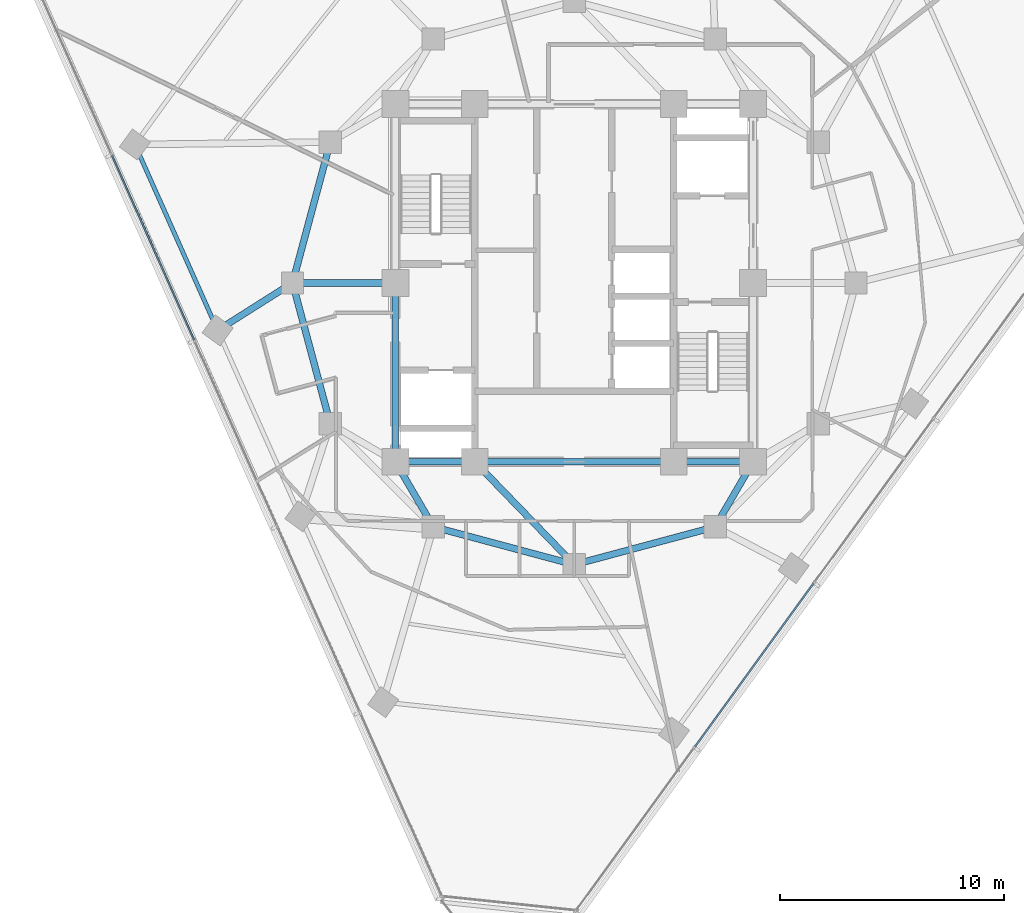
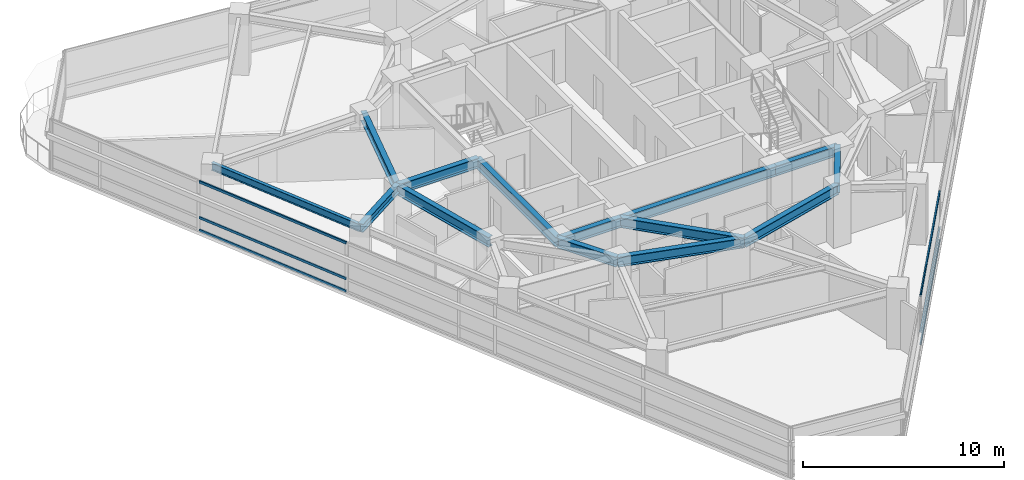
# One storey, part 3 of 14: 14 beams, 6 members, 2 elements without a shape of their own.
"""IFC4 building model written with IfcOpenShell, lengths in metres."""

from ifc_helpers import new_model, si_unit, direction, frame, origin, origin_2d, place, context, subcontext, project, spatial, rectangle, i_section, extrude, material, layer, layer_set, material_profile, profile_set, type_object, element, aggregate, save


model = new_model("IFC4")

# Units and contexts
model_context = context("Model", 3, precision=1e-05, world=origin(), true_north=direction((0.0, 1.0)))
body_context = subcontext(model_context, "Body", "Model", "MODEL_VIEW")
ifc_project = project(units=[si_unit("LENGTHUNIT", "METRE"), si_unit("AREAUNIT", "SQUARE_METRE"), si_unit("VOLUMEUNIT", "CUBIC_METRE"), si_unit("PLANEANGLEUNIT", "RADIAN"), si_unit("MASSUNIT", "GRAM", prefix="KILO")], contexts=[model_context])

# Site, building, storey
site_placement = place(None, origin())
site = spatial("IfcSite", under=ifc_project, at=site_placement, CompositionType="ELEMENT")
building_placement = place(site_placement, origin())
building = spatial("IfcBuilding", under=site, at=building_placement, Name="Terralouvre Media Tower", CompositionType="ELEMENT")
storey_placement = place(building_placement, frame((0.0, 0.0, 222.60009765625)))
storey = spatial("IfcBuildingStorey", under=building, at=storey_placement, Name="L57", CompositionType="ELEMENT", Elevation=222.60009765625)

# Curtain wall, members
ifc_material_1 = material(Name="Low-iron laminated double glazing with solar-control coating", Category="glass")
ifc_layer = layer(ifc_material_1, 0.1650390625, Name="Upper Executive Tower Curtain Wall CW-05")
ifc_layer_set = layer_set([ifc_layer], Name="Low-iron laminated double glazing with solar-control coating")
curtain_wall_type = type_object("IfcCurtainWallType", Name="Upper Executive Tower Curtain Wall CW-05", PredefinedType="NOTDEFINED", material=ifc_layer_set)
curtain_wall_1_placement = place(storey_placement, origin())
curtain_wall_1 = element("IfcCurtainWall", 1, at=curtain_wall_1_placement, inside=storey, type_object=curtain_wall_type, Name="L57 Facade Curtain Wall F0", PredefinedType="NOTDEFINED")
ifc_material_2 = material(Name="Anodised extruded aluminium 6063-T6", Category="aluminium")
ifc_material_profile_1 = material_profile(ifc_material_2, rectangle(XDim=0.074951171875, YDim=0.14990234375, at=origin_2d()), Name="ALU 75x150")
ifc_profile_set_1 = profile_set([ifc_material_profile_1], Name="Anodised extruded aluminium 6063-T6")
member_type = type_object("IfcMemberType", Name="Curtain-Wall Horizontal Transom TR-150", PredefinedType="USERDEFINED", material=ifc_profile_set_1)
member_1_placement = place(storey_placement, frame((5.39990234375, -20.749267578125, 0.037353515625), z_axis=(0.587772727709, 0.809026093869, 0.0), x_axis=(-0.809026093869, 0.587772727709, 0.0)))
member_1 = element("IfcMember", 2, at=member_1_placement, type_object=member_type, Name="CW-05 transom 2.1", ObjectType="TRANSOM", PredefinedType="USERDEFINED", context=body_context, shape_type="SweptSolid", body=[
    extrude(rectangle(XDim=0.074951171875, YDim=0.14990234375, at=origin_2d()), origin(), (0.0, 0.0, 1.0), 9.025146484375),
])
member_2_placement = place(storey_placement, frame((5.39990234375, -20.749267578125, 0.7998046875), z_axis=(0.587772727709, 0.809026093869, 0.0), x_axis=(-0.809026093869, 0.587772727709, 0.0)))
member_2 = element("IfcMember", 3, at=member_2_placement, type_object=member_type, Name="CW-05 transom 2.2", ObjectType="TRANSOM", PredefinedType="USERDEFINED", context=body_context, shape_type="SweptSolid", body=[
    extrude(rectangle(XDim=0.074951171875, YDim=0.14990234375, at=origin_2d()), origin(), (0.0, 0.0, 1.0), 9.025146484375),
])
member_3_placement = place(storey_placement, frame((5.39990234375, -20.749267578125, 2.96240234375), z_axis=(0.587772727709, 0.809026093869, 0.0), x_axis=(-0.809026093869, 0.587772727709, 0.0)))
member_3 = element("IfcMember", 4, at=member_3_placement, type_object=member_type, Name="CW-05 transom 2.3", ObjectType="TRANSOM", PredefinedType="USERDEFINED", context=body_context, shape_type="SweptSolid", body=[
    extrude(rectangle(XDim=0.074951171875, YDim=0.14990234375, at=origin_2d()), origin(), (0.0, 0.0, 1.0), 9.025146484375),
])
aggregate(curtain_wall_1, [member_1, member_2, member_3])

curtain_wall_2_placement = place(storey_placement, origin())
curtain_wall_2 = element("IfcCurtainWall", 5, at=curtain_wall_2_placement, inside=storey, type_object=curtain_wall_type, Name="L57 Facade Curtain Wall F2", PredefinedType="NOTDEFINED")
member_4_placement = place(storey_placement, frame((-20.66943359375, 5.6982421875, 0.037353515625), z_axis=(0.406740753437, -0.913543627581, 0.0), x_axis=(0.913543627581, 0.406740753437, 0.0)))
member_4 = element("IfcMember", 6, at=member_4_placement, type_object=member_type, Name="CW-05 transom 2.1", ObjectType="TRANSOM", PredefinedType="USERDEFINED", context=body_context, shape_type="SweptSolid", body=[
    extrude(rectangle(XDim=0.074951171875, YDim=0.14990234375, at=origin_2d()), origin(), (0.0, 0.0, 1.0), 9.025146484375),
])
member_5_placement = place(storey_placement, frame((-20.66943359375, 5.6982421875, 0.7998046875), z_axis=(0.406740753437, -0.913543627581, 0.0), x_axis=(0.913543627581, 0.406740753437, 0.0)))
member_5 = element("IfcMember", 7, at=member_5_placement, type_object=member_type, Name="CW-05 transom 2.2", ObjectType="TRANSOM", PredefinedType="USERDEFINED", context=body_context, shape_type="SweptSolid", body=[
    extrude(rectangle(XDim=0.074951171875, YDim=0.14990234375, at=origin_2d()), origin(), (0.0, 0.0, 1.0), 9.025146484375),
])
member_6_placement = place(storey_placement, frame((-20.66943359375, 5.6982421875, 2.96240234375), z_axis=(0.406740753437, -0.913543627581, 0.0), x_axis=(0.913543627581, 0.406740753437, 0.0)))
member_6 = element("IfcMember", 8, at=member_6_placement, type_object=member_type, Name="CW-05 transom 2.3", ObjectType="TRANSOM", PredefinedType="USERDEFINED", context=body_context, shape_type="SweptSolid", body=[
    extrude(rectangle(XDim=0.074951171875, YDim=0.14990234375, at=origin_2d()), origin(), (0.0, 0.0, 1.0), 9.025146484375),
])
aggregate(curtain_wall_2, [member_4, member_5, member_6])

# Beams
ifc_material_3 = material(Name="Structural steel S355J2", Category="steel")
ifc_material_profile_2 = material_profile(ifc_material_3, i_section(OverallWidth=0.18994140625, OverallDepth=0.449951171875, WebThickness=0.009521484375, FlangeThickness=0.0146484375, at=origin_2d()), Name="IPE 450")
ifc_profile_set_2 = profile_set([ifc_material_profile_2], Name="Structural steel S355J2")
beam_type_1 = type_object("IfcBeamType", Name="Perimeter Spandrel Beam SPB-450 (IPE 450)", PredefinedType="SPANDREL", material=ifc_profile_set_2)
beam_1_placement = place(storey_placement, frame((-19.65234375, 6.192138671875, 3.27490234375), z_axis=(0.406738273219, -0.913544731854, 0.0), x_axis=(0.913544731854, 0.406738273219, 0.0)))
element("IfcBeam", 9, at=beam_1_placement, inside=storey, type_object=beam_type_1, Name="L57 Framing Beam BM-L57-PR12", PredefinedType="SPANDREL", context=body_context, shape_type="SweptSolid", body=[
    extrude(i_section(OverallWidth=0.18994140625, OverallDepth=0.449951171875, WebThickness=0.009521484375, FlangeThickness=0.0146484375, at=origin_2d()), origin(), (0.0, 0.0, 1.0), 9.100341796875),
])
ifc_material_4 = material(Name="Structural steel S355J2", Category="steel")
ifc_material_profile_3 = material_profile(ifc_material_4, i_section(OverallWidth=0.300048828125, OverallDepth=0.5, WebThickness=0.014404296875, FlangeThickness=0.028076171875, at=origin_2d()), Name="HEB 500")
ifc_profile_set_3 = profile_set([ifc_material_profile_3], Name="Structural steel S355J2")
beam_type_2 = type_object("IfcBeamType", Name="Primary Floor Girder B-HEB500 (HEB 500)", PredefinedType="BEAM", material=ifc_profile_set_3)
beam_2_placement = place(storey_placement, frame((-12.60009765625, 0.0, 3.25), z_axis=(-0.844916454891, -0.534898293373, 0.0), x_axis=(0.534898293373, -0.844916454891, 0.0)))
element("IfcBeam", 10, at=beam_2_placement, inside=storey, type_object=beam_type_2, Name="L57 Framing Beam BM-L57-RD01", PredefinedType="BEAM", context=body_context, shape_type="SweptSolid", body=[
    extrude(i_section(OverallWidth=0.300048828125, OverallDepth=0.5, WebThickness=0.014404296875, FlangeThickness=0.028076171875, at=origin_2d()), origin(), (0.0, 0.0, 1.0), 3.9658203125),
])
ifc_material_5 = material(Name="Structural steel S460M", Category="steel")
ifc_material_profile_4 = material_profile(ifc_material_5, i_section(OverallWidth=0.300048828125, OverallDepth=0.60009765625, WebThickness=0.015380859375, FlangeThickness=0.030029296875, at=origin_2d()), Name="HEB 600")
ifc_profile_set_4 = profile_set([ifc_material_profile_4], Name="Structural steel S460M")
beam_type_3 = type_object("IfcBeamType", Name="Primary Floor Girder B-HEB600 (HEB 600)", PredefinedType="BEAM", material=ifc_profile_set_4)
beam_3_placement = place(storey_placement, frame((-8.0, -8.0, 3.199951171875), z_axis=(1.0, 0.0, 0.0), x_axis=(0.0, 1.0, 0.0)))
element("IfcBeam", 11, at=beam_3_placement, inside=storey, type_object=beam_type_3, Name="L57 Framing Beam BM-L57-CPR01", PredefinedType="BEAM", context=body_context, shape_type="SweptSolid", body=[
    extrude(i_section(OverallWidth=0.300048828125, OverallDepth=0.60009765625, WebThickness=0.015380859375, FlangeThickness=0.030029296875, at=origin_2d()), origin(), (0.0, 0.0, 1.0), 3.550048828125),
])
beam_4_placement = place(storey_placement, frame((-4.449951171875, -8.0, 3.199951171875), z_axis=(1.0, 0.0, 0.0), x_axis=(0.0, 1.0, 0.0)))
element("IfcBeam", 12, at=beam_4_placement, inside=storey, type_object=beam_type_3, Name="L57 Framing Beam BM-L57-CPR02", PredefinedType="BEAM", context=body_context, shape_type="SweptSolid", body=[
    extrude(i_section(OverallWidth=0.300048828125, OverallDepth=0.60009765625, WebThickness=0.015380859375, FlangeThickness=0.030029296875, at=origin_2d()), origin(), (0.0, 0.0, 1.0), 8.89990234375),
])
beam_5_placement = place(storey_placement, frame((4.449951171875, -8.0, 3.199951171875), z_axis=(1.0, 0.0, 0.0), x_axis=(0.0, 1.0, 0.0)))
element("IfcBeam", 13, at=beam_5_placement, inside=storey, type_object=beam_type_3, Name="L57 Framing Beam BM-L57-CPR03", PredefinedType="BEAM", context=body_context, shape_type="SweptSolid", body=[
    extrude(i_section(OverallWidth=0.300048828125, OverallDepth=0.60009765625, WebThickness=0.015380859375, FlangeThickness=0.030029296875, at=origin_2d()), origin(), (0.0, 0.0, 1.0), 3.550048828125),
])
beam_6_placement = place(storey_placement, frame((-8.0, 0.0, 3.199951171875), z_axis=(0.0, -1.0, 0.0), x_axis=(1.0, 0.0, 0.0)))
element("IfcBeam", 14, at=beam_6_placement, inside=storey, type_object=beam_type_3, Name="L57 Framing Beam BM-L57-CPR10", PredefinedType="BEAM", context=body_context, shape_type="SweptSolid", body=[
    extrude(i_section(OverallWidth=0.300048828125, OverallDepth=0.60009765625, WebThickness=0.015380859375, FlangeThickness=0.030029296875, at=origin_2d()), origin(), (0.0, 0.0, 1.0), 8.0),
])
for number, where, z_axis, x_axis, name in (
    (15, (-6.300048828125, -10.911865234375, 3.199951171875), (0.965920481897, -0.258838989821, 0.0), (0.258838989821, 0.965920481897, 0.0), "L57 Framing Beam BM-L57-MR02"),
    (16, (0.0, -12.60009765625, 3.199951171875), (0.965920481897, 0.258838989821, 0.0), (-0.258838989821, 0.965920481897, 0.0), "L57 Framing Beam BM-L57-MR03"),
    (17, (-10.911865234375, 6.300048828125, 3.199951171875), (-0.258838989821, -0.965920481897, 0.0), (0.965920481897, -0.258838989821, 0.0), "L57 Framing Beam BM-L57-MR11"),
    (18, (-12.60009765625, 0.0, 3.199951171875), (0.258838989821, -0.965920481897, 0.0), (0.965920481897, 0.258838989821, 0.0), "L57 Framing Beam BM-L57-MR12"),
):
    element("IfcBeam", number, at=place(storey_placement, frame(where, z_axis=z_axis, x_axis=x_axis)), inside=storey, type_object=beam_type_3, Name=name, PredefinedType="BEAM", context=body_context, shape_type="SweptSolid", body=[
        extrude(i_section(OverallWidth=0.300048828125, OverallDepth=0.60009765625, WebThickness=0.015380859375, FlangeThickness=0.030029296875, at=origin_2d()), origin(), (0.0, 0.0, 1.0), 6.522216796875),
    ])
beam_7_placement = place(storey_placement, frame((-8.0, -8.0, 3.199951171875), z_axis=(0.504172629717, -0.863602894532, 0.0), x_axis=(0.863602894532, 0.504172629717, 0.0)))
element("IfcBeam", 19, at=beam_7_placement, inside=storey, type_object=beam_type_3, Name="L57 Framing Beam BM-L57-CM02", PredefinedType="BEAM", context=body_context, shape_type="SweptSolid", body=[
    extrude(i_section(OverallWidth=0.300048828125, OverallDepth=0.60009765625, WebThickness=0.015380859375, FlangeThickness=0.030029296875, at=origin_2d()), origin(), (0.0, 0.0, 1.0), 3.371826171875),
])
beam_8_placement = place(storey_placement, frame((-4.449951171875, -8.0, 3.199951171875), z_axis=(0.695279715726, -0.718739255155, 0.0), x_axis=(0.718739255155, 0.695279715726, 0.0)))
element("IfcBeam", 20, at=beam_8_placement, inside=storey, type_object=beam_type_3, Name="L57 Framing Beam BM-L57-CM03", PredefinedType="BEAM", context=body_context, shape_type="SweptSolid", body=[
    extrude(i_section(OverallWidth=0.300048828125, OverallDepth=0.60009765625, WebThickness=0.015380859375, FlangeThickness=0.030029296875, at=origin_2d()), origin(), (0.0, 0.0, 1.0), 6.400146484375),
])
beam_9_placement = place(storey_placement, frame((8.0, -8.0, 3.199951171875), z_axis=(-0.504172629717, -0.863602894532, 0.0), x_axis=(0.863602894532, -0.504172629717, 0.0)))
element("IfcBeam", 21, at=beam_9_placement, inside=storey, type_object=beam_type_3, Name="L57 Framing Beam BM-L57-CM04", PredefinedType="BEAM", context=body_context, shape_type="SweptSolid", body=[
    extrude(i_section(OverallWidth=0.300048828125, OverallDepth=0.60009765625, WebThickness=0.015380859375, FlangeThickness=0.030029296875, at=origin_2d()), origin(), (0.0, 0.0, 1.0), 3.371826171875),
])
beam_10_placement = place(storey_placement, frame((-8.0, 0.0, 3.199951171875), z_axis=(-1.0, 0.0, 0.0), x_axis=(0.0, -1.0, 0.0)))
element("IfcBeam", 22, at=beam_10_placement, inside=storey, type_object=beam_type_3, Name="L57 Framing Beam BM-L57-CM12", PredefinedType="BEAM", context=body_context, shape_type="SweptSolid", body=[
    extrude(i_section(OverallWidth=0.300048828125, OverallDepth=0.60009765625, WebThickness=0.015380859375, FlangeThickness=0.030029296875, at=origin_2d()), origin(), (0.0, 0.0, 1.0), 4.60009765625),
])

save(model, "model.ifc")
